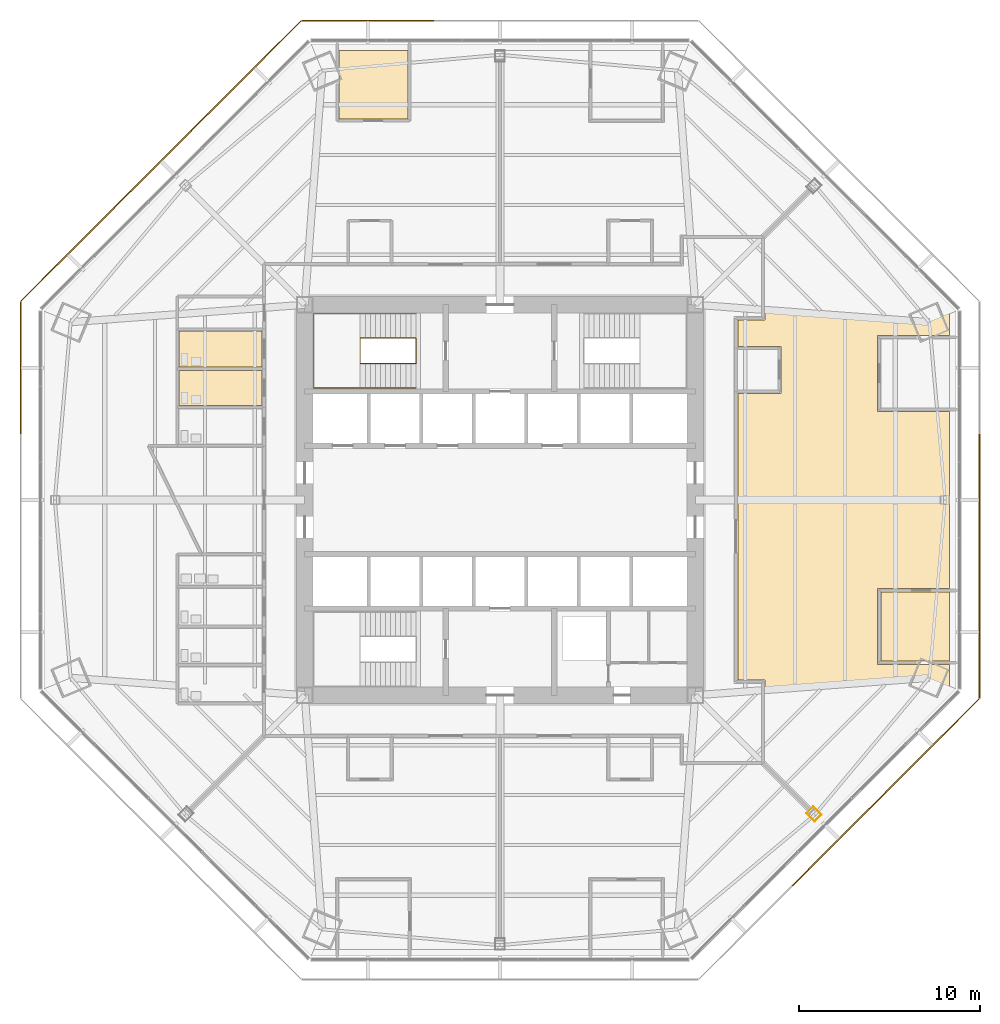
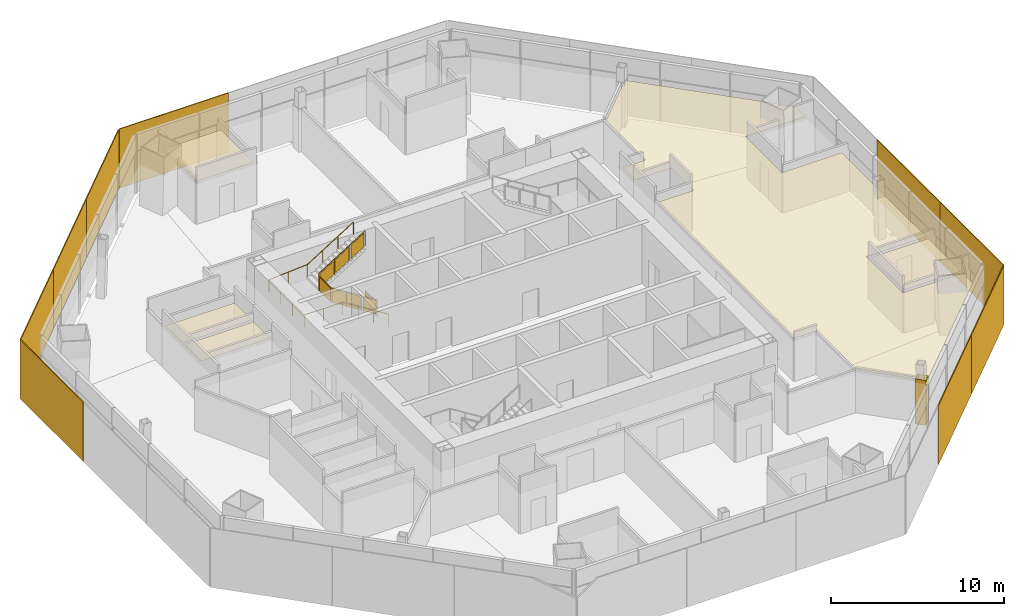
# One storey, part 15 of 17: 9 shading devices, 6 coverings, 2 railings.
"""IFC4 building model written with IfcOpenShell, lengths in metres."""

from ifc_helpers import new_model, si_unit, direction, frame, origin, origin_2d, place, context, subcontext, project, spatial, polyline, rectangle, circle, outline, extrude, source, transform, mapped, material, layer, layer_set, type_object, type_shapes, element, save


model = new_model("IFC4")

# Units and contexts
model_context = context("Model", 3, precision=1e-05, world=origin(), true_north=direction((0.0, 1.0)))
body_context = subcontext(model_context, "Body", "Model", "MODEL_VIEW")
ifc_project = project(units=[si_unit("LENGTHUNIT", "METRE"), si_unit("AREAUNIT", "SQUARE_METRE"), si_unit("VOLUMEUNIT", "CUBIC_METRE"), si_unit("PLANEANGLEUNIT", "RADIAN"), si_unit("MASSUNIT", "GRAM", prefix="KILO")], contexts=[model_context])

# Site, building, storey
site_placement = place(None, origin())
site = spatial("IfcSite", under=ifc_project, at=site_placement, CompositionType="ELEMENT")
building_placement = place(site_placement, origin())
building = spatial("IfcBuilding", under=site, at=building_placement, Name="Mashrafa Tower", CompositionType="ELEMENT")
storey_placement = place(building_placement, frame((0.0, 0.0, 91.800048828125)))
storey = spatial("IfcBuildingStorey", under=building, at=storey_placement, Name="L20", CompositionType="ELEMENT", Elevation=91.800048828125)

# Covering
ifc_material_1 = material(Name="Gypsum board")
ifc_layer_1 = layer(ifc_material_1, 0.014892578125)
ifc_layer_set_1 = layer_set([ifc_layer_1], Name="Column casing plasterboard 15")
covering_type_1 = type_object("IfcCoveringType", Name="Column casing plasterboard 15", PredefinedType="CLADDING", material=ifc_layer_set_1)
covering_1_placement = place(storey_placement, origin())
element("IfcCovering", 1, at=covering_1_placement, inside=storey, type_object=covering_type_1, Name="Column casing L20-005", PredefinedType="CLADDING", context=body_context, shape_type="SweptSolid", body=[
    extrude(outline(polyline([(16.948486328125, -17.3232421875), (17.3232421875, -16.948486328125), (17.7822265625, -17.407470703125), (17.407470703125, -17.7822265625), (16.948486328125, -17.3232421875)]), holes=[polyline([(17.760986328125, -17.407470703125), (17.3232421875, -16.9697265625), (16.9697265625, -17.3232421875), (17.407470703125, -17.760986328125), (17.760986328125, -17.407470703125)])]), origin(), (0.0, 0.0, 1.0), 3.17919921875),
])

# Railings
ifc_material_2 = material(Name="Steel guard with glass infill", Category="steel")
railing_type_1 = type_object("IfcRailingType", Name="Stair guard 1100", PredefinedType="GUARDRAIL", material=ifc_material_2)
railing_1_placement = place(storey_placement, frame((-4.64990234375, 8.949951171875, 0.0)))
element("IfcRailing", 2, at=railing_1_placement, inside=storey, type_object=railing_type_1, Name="Stair S1 guard L20", PredefinedType="GUARDRAIL", context=body_context, shape_type="SweptSolid", body=[
    extrude(circle(Radius=0.02392578125, at=origin_2d()), frame((0.0, 0.0, 1.076171875), z_axis=(0.0, -1.0, 0.0), x_axis=(1.0, 0.0, 0.0)), (0.0, 0.0, 1.0), 1.39990234375),
    extrude(circle(Radius=0.02392578125, at=origin_2d()), frame((0.0, -1.39990234375, 1.076171875), z_axis=(0.0, 0.0, 1.0), x_axis=(1.0, 0.0, 0.0)), (0.0, 0.0, 1.0), 0.175048828125),
    extrude(circle(Radius=0.02392578125, at=origin_2d()), frame((0.0, -1.39990234375, 1.2509765625), z_axis=(-0.848028513186, 0.0, 0.529950602248), x_axis=(0.0, -1.0, 0.0)), (0.0, 0.0, 1.0), 3.632080078125),
    extrude(circle(Radius=0.02392578125, at=origin_2d()), frame((-3.080078125, -1.39990234375, 3.17578125), z_axis=(0.0, 1.0, 0.0), x_axis=(-1.0, 0.0, 0.0)), (0.0, 0.0, 1.0), 1.39990234375),
    extrude(circle(Radius=0.02392578125, at=origin_2d()), frame((-3.080078125, 0.0, 3.17578125), z_axis=(0.0, 0.0, 1.0), x_axis=(1.0, 0.0, 0.0)), (0.0, 0.0, 1.0), 0.175048828125),
    extrude(circle(Radius=0.02392578125, at=origin_2d()), frame((-3.080078125, 0.0, 3.35107421875), z_axis=(0.847998304005, 0.0, 0.529998940003), x_axis=(0.0, 1.0, 0.0)), (0.0, 0.0, 1.0), 3.632080078125),
    extrude(circle(Radius=0.02099609375, at=origin_2d()), origin(), (0.0, 0.0, 1.0), 1.052001953125),
    extrude(circle(Radius=0.02099609375, at=origin_2d()), frame((0.0, -1.39990234375, 0.0)), (0.0, 0.0, 1.0), 1.052001953125),
    extrude(circle(Radius=0.02099609375, at=origin_2d()), frame((0.0, -1.39990234375, 0.175048828125)), (0.0, 0.0, 1.0), 1.052001953125),
    extrude(circle(Radius=0.02099609375, at=origin_2d()), frame((-1.026611328125, -1.39990234375, 0.816650390625)), (0.0, 0.0, 1.0), 1.052001953125),
    extrude(circle(Radius=0.02099609375, at=origin_2d()), frame((-2.053466796875, -1.39990234375, 1.458251953125)), (0.0, 0.0, 1.0), 1.052001953125),
    extrude(circle(Radius=0.02099609375, at=origin_2d()), frame((-3.080078125, -1.39990234375, 2.099853515625)), (0.0, 0.0, 1.0), 1.052001953125),
    extrude(circle(Radius=0.02099609375, at=origin_2d()), frame((-3.080078125, 0.0, 2.099853515625)), (0.0, 0.0, 1.0), 1.052001953125),
    extrude(circle(Radius=0.02099609375, at=origin_2d()), frame((-3.080078125, 0.0, 2.27490234375)), (0.0, 0.0, 1.0), 1.052001953125),
    extrude(circle(Radius=0.02099609375, at=origin_2d()), frame((-2.053466796875, 0.0, 2.91650390625)), (0.0, 0.0, 1.0), 1.052001953125),
    extrude(circle(Radius=0.02099609375, at=origin_2d()), frame((-1.026611328125, 0.0, 3.558349609375)), (0.0, 0.0, 1.0), 1.052001953125),
    extrude(circle(Radius=0.02099609375, at=origin_2d()), frame((0.0, 0.0, 4.199951171875)), (0.0, 0.0, 1.0), 1.052001953125),
    extrude(outline(polyline([(0.071044921875, 0.050048828125), (1.328857421875, 0.050048828125), (1.328857421875, 1.001953125), (0.071044921875, 1.001953125), (0.071044921875, 0.050048828125)])), frame((-0.006103515625, 0.0, 0.0), z_axis=(-1.0, 0.0, 0.0), x_axis=(0.0, -1.0, 0.0)), (0.0, 0.0, 1.0), 0.011962890625),
    extrude(outline(polyline([(0.071044921875, 0.094482421875), (0.955810546875, 0.647216796875), (0.955810546875, 1.59912109375), (0.071044921875, 1.04638671875), (0.071044921875, 0.094482421875)])), frame((0.0, -1.393798828125, 0.175048828125), z_axis=(0.0, 1.0, 0.0), x_axis=(-1.0, 0.0, 0.0)), (0.0, 0.0, 1.0), 0.011962890625),
    extrude(outline(polyline([(1.09765625, 0.736083984375), (1.982421875, 1.288818359375), (1.982421875, 2.24072265625), (1.09765625, 1.68798828125), (1.09765625, 0.736083984375)])), frame((0.0, -1.393798828125, 0.175048828125), z_axis=(0.0, 1.0, 0.0), x_axis=(-1.0, 0.0, 0.0)), (0.0, 0.0, 1.0), 0.011962890625),
    extrude(outline(polyline([(2.124267578125, 1.377685546875), (3.009033203125, 1.930419921875), (3.009033203125, 2.88232421875), (2.124267578125, 2.32958984375), (2.124267578125, 1.377685546875)])), frame((0.0, -1.393798828125, 0.175048828125), z_axis=(0.0, 1.0, 0.0), x_axis=(-1.0, 0.0, 0.0)), (0.0, 0.0, 1.0), 0.011962890625),
    extrude(outline(polyline([(0.071044921875, 0.050048828125), (1.328857421875, 0.050048828125), (1.328857421875, 1.001953125), (0.071044921875, 1.001953125), (0.071044921875, 0.050048828125)])), frame((-3.073974609375, -1.39990234375, 2.099853515625), z_axis=(1.0, 0.0, 0.0), x_axis=(0.0, 1.0, 0.0)), (0.0, 0.0, 1.0), 0.011962890625),
    extrude(outline(polyline([(0.071044921875, 0.094482421875), (0.955810546875, 0.647216796875), (0.955810546875, 1.599365234375), (0.071044921875, 1.04638671875), (0.071044921875, 0.094482421875)])), frame((-3.080078125, -0.006103515625, 2.27490234375), z_axis=(0.0, -1.0, 0.0), x_axis=(1.0, 0.0, 0.0)), (0.0, 0.0, 1.0), 0.011962890625),
    extrude(outline(polyline([(1.09765625, 0.736083984375), (1.982421875, 1.2890625), (1.982421875, 2.240966796875), (1.09765625, 1.68798828125), (1.09765625, 0.736083984375)])), frame((-3.080078125, -0.006103515625, 2.27490234375), z_axis=(0.0, -1.0, 0.0), x_axis=(1.0, 0.0, 0.0)), (0.0, 0.0, 1.0), 0.011962890625),
    extrude(outline(polyline([(2.124267578125, 1.377685546875), (3.009033203125, 1.9306640625), (3.009033203125, 2.882568359375), (2.124267578125, 2.329833984375), (2.124267578125, 1.377685546875)])), frame((-3.080078125, -0.006103515625, 2.27490234375), z_axis=(0.0, -1.0, 0.0), x_axis=(1.0, 0.0, 0.0)), (0.0, 0.0, 1.0), 0.011962890625),
])
ifc_material_3 = material(Name="Steel", Category="steel")
railing_type_2 = type_object("IfcRailingType", Name="Stair handrail 900", PredefinedType="HANDRAIL", material=ifc_material_3)
railing_2_placement = place(storey_placement, frame((-4.64990234375, 6.199951171875, 0.175048828125)))
element("IfcRailing", 3, at=railing_2_placement, inside=storey, type_object=railing_type_2, Name="Stair S1 handrail L20", PredefinedType="HANDRAIL", context=body_context, shape_type="SweptSolid", body=[
    extrude(circle(Radius=0.02392578125, at=origin_2d()), frame((0.0, 0.0, 0.8759765625), z_axis=(-0.848028513186, 0.0, 0.529950602248), x_axis=(0.0, -1.0, 0.0)), (0.0, 0.0, 1.0), 3.632080078125),
    extrude(circle(Radius=0.02392578125, at=origin_2d()), frame((-3.080078125, 0.0, 2.80078125), z_axis=(-1.0, 0.0, 0.0), x_axis=(0.0, -1.0, 0.0)), (0.0, 0.0, 1.0), 2.570068359375),
    extrude(circle(Radius=0.02392578125, at=origin_2d()), frame((-5.650146484375, 0.0, 2.80078125), z_axis=(0.0, 1.0, 0.0), x_axis=(-1.0, 0.0, 0.0)), (0.0, 0.0, 1.0), 4.10009765625),
    extrude(circle(Radius=0.02392578125, at=origin_2d()), frame((-5.650146484375, 4.10009765625, 2.80078125), z_axis=(0.997688514158, 0.0, 0.067953136188), x_axis=(0.0, 1.0, 0.0)), (0.0, 0.0, 1.0), 2.575927734375),
    extrude(circle(Radius=0.02392578125, at=origin_2d()), frame((-3.080078125, 4.10009765625, 2.9755859375), z_axis=(0.847998304005, 0.0, 0.529998940003), x_axis=(0.0, 1.0, 0.0)), (0.0, 0.0, 1.0), 3.632080078125),
    extrude(circle(Radius=0.02099609375, at=origin_2d()), origin(), (0.0, 0.0, 1.0), 0.851806640625),
    extrude(circle(Radius=0.02099609375, at=origin_2d()), frame((-1.026611328125, 0.0, 0.6416015625)), (0.0, 0.0, 1.0), 0.851806640625),
    extrude(circle(Radius=0.02099609375, at=origin_2d()), frame((-2.053466796875, 0.0, 1.283203125)), (0.0, 0.0, 1.0), 0.851806640625),
    extrude(circle(Radius=0.02099609375, at=origin_2d()), frame((-3.080078125, 0.0, 1.9248046875)), (0.0, 0.0, 1.0), 0.851806640625),
    extrude(circle(Radius=0.02099609375, at=origin_2d()), frame((-4.365234375, 0.0, 1.9248046875)), (0.0, 0.0, 1.0), 0.851806640625),
    extrude(circle(Radius=0.02099609375, at=origin_2d()), frame((-5.650146484375, 0.0, 1.9248046875)), (0.0, 0.0, 1.0), 0.851806640625),
    extrude(circle(Radius=0.02099609375, at=origin_2d()), frame((-5.650146484375, 1.36669921875, 1.9248046875)), (0.0, 0.0, 1.0), 0.851806640625),
    extrude(circle(Radius=0.02099609375, at=origin_2d()), frame((-5.650146484375, 2.7333984375, 1.9248046875)), (0.0, 0.0, 1.0), 0.851806640625),
    extrude(circle(Radius=0.02099609375, at=origin_2d()), frame((-5.650146484375, 4.10009765625, 1.9248046875)), (0.0, 0.0, 1.0), 0.851806640625),
    extrude(circle(Radius=0.02099609375, at=origin_2d()), frame((-4.365234375, 4.10009765625, 2.01220703125)), (0.0, 0.0, 1.0), 0.851806640625),
    extrude(circle(Radius=0.02099609375, at=origin_2d()), frame((-3.080078125, 4.10009765625, 2.099853515625)), (0.0, 0.0, 1.0), 0.851806640625),
    extrude(circle(Radius=0.02099609375, at=origin_2d()), frame((-2.053466796875, 4.10009765625, 2.741455078125)), (0.0, 0.0, 1.0), 0.851806640625),
    extrude(circle(Radius=0.02099609375, at=origin_2d()), frame((-1.026611328125, 4.10009765625, 3.38330078125)), (0.0, 0.0, 1.0), 0.851806640625),
    extrude(circle(Radius=0.02099609375, at=origin_2d()), frame((0.0, 4.10009765625, 4.02490234375)), (0.0, 0.0, 1.0), 0.851806640625),
])

# Coverings
ifc_material_4 = material(Name="Mineral fibre tile on suspension grid")
ifc_layer_2 = layer(ifc_material_4, 0.014892578125)
ifc_layer_set_2 = layer_set([ifc_layer_2], Name="Suspended ceiling mineral tile 15")
covering_type_2 = type_object("IfcCoveringType", Name="Suspended ceiling mineral tile 15", PredefinedType="CEILING", material=ifc_layer_set_2)
covering_2_placement = place(storey_placement, frame((0.0, 0.0, 2.89990234375)))
element("IfcCovering", 4, at=covering_2_placement, inside=storey, type_object=covering_type_2, Name="Ceiling WC Male L20 N", PredefinedType="CEILING", context=body_context, shape_type="SweptSolid", body=[
    extrude(outline(polyline([(-17.75, 5.22509765625), (-17.75, 7.14990234375), (-13.14990234375, 7.14990234375), (-13.14990234375, 5.22509765625), (-17.75, 5.22509765625)])), origin(), (0.0, 0.0, 1.0), 0.01513671875),
])
covering_3_placement = place(storey_placement, frame((0.0, 0.0, 2.89990234375)))
element("IfcCovering", 5, at=covering_3_placement, inside=storey, type_object=covering_type_2, Name="Ceiling Accessible WC L20 N", PredefinedType="CEILING", context=body_context, shape_type="SweptSolid", body=[
    extrude(outline(polyline([(-17.75, 7.35009765625), (-17.75, 9.35009765625), (-13.14990234375, 9.35009765625), (-13.14990234375, 7.35009765625), (-17.75, 7.35009765625)])), origin(), (0.0, 0.0, 1.0), 0.01513671875),
])
covering_4_placement = place(storey_placement, frame((0.0, 0.0, 2.89990234375)))
element("IfcCovering", 6, at=covering_4_placement, inside=storey, type_object=covering_type_2, Name="Ceiling Manager's Office 20-NW", PredefinedType="CEILING", context=body_context, shape_type="SweptSolid", body=[
    extrude(outline(polyline([(-8.89990234375, 24.867919921875), (-5.10009765625, 24.867919921875), (-5.10009765625, 21.06787109375), (-8.89990234375, 21.06787109375), (-8.89990234375, 24.867919921875)])), origin(), (0.0, 0.0, 1.0), 0.01513671875),
])
covering_5_placement = place(storey_placement, frame((0.0, 0.0, 2.89990234375)))
element("IfcCovering", 7, at=covering_5_placement, inside=storey, type_object=covering_type_2, Name="Ceiling Manager's Office 20-E", PredefinedType="CEILING", context=body_context, shape_type="SweptSolid", body=[
    extrude(outline(polyline([(21.06787109375, -5.10009765625), (24.867919921875, -5.10009765625), (24.867919921875, -8.89990234375), (21.06787109375, -8.89990234375), (21.06787109375, -5.10009765625)])), origin(), (0.0, 0.0, 1.0), 0.01513671875),
])
covering_6_placement = place(storey_placement, frame((0.0, 0.0, 2.89990234375)))
element("IfcCovering", 8, at=covering_6_placement, inside=storey, type_object=covering_type_2, Name="Ceiling Office Suite 20-E", PredefinedType="CEILING", context=body_context, shape_type="SweptSolid", body=[
    extrude(outline(polyline([(14.64990234375, 14.508544921875), (17.65478515625, 17.513427734375), (24.867919921875, 10.300537109375), (24.867919921875, 9.10009765625), (20.867919921875, 9.10009765625), (20.867919921875, 4.89990234375), (24.867919921875, 4.89990234375), (24.867919921875, -4.89990234375), (20.867919921875, -4.89990234375), (20.867919921875, -9.10009765625), (24.867919921875, -9.10009765625), (24.867919921875, -10.300537109375), (17.65478515625, -17.513427734375), (14.64990234375, -14.508544921875), (14.64990234375, -9.949951171875), (13.14990234375, -9.949951171875), (13.14990234375, 5.89990234375), (15.550048828125, 5.89990234375), (15.550048828125, 8.5), (13.14990234375, 8.5), (13.14990234375, 9.949951171875), (14.64990234375, 9.949951171875), (14.64990234375, 14.508544921875)])), origin(), (0.0, 0.0, 1.0), 0.01513671875),
])

# Shading devices
ifc_material_5 = material(Name="Perforated aluminium plate, eight-point star pattern", Category="aluminium")
ifc_layer_3 = layer(ifc_material_5, 0.06005859375)
ifc_layer_set_3 = layer_set([ifc_layer_3], Name="Mashrabiya screen panel office zone 1, 45 percent open")
shading_device_type = type_object("IfcShadingDeviceType", Name="Mashrabiya screen panel office zone 1, 45 percent open", PredefinedType="SHUTTER", material=ifc_layer_set_3)
shared_shape = source(origin(), body_context, "Body", "SweptSolid", [
    extrude(rectangle(XDim=7.287841796875, YDim=0.06005859375, at=origin_2d()), origin(), (0.0, 0.0, 1.0), 4.179931640625),
])
type_shapes(shading_device_type, [shared_shape])
for number, where, z_axis, x_axis, name in (
    (9, (26.517822265625, -7.307861328125, -0.14990234375), (0.0, 0.0, 1.0), (0.0, 1.0, 0.0), "Mashrabiya screen L20 east 1"),
    (10, (26.517822265625, 0.0, -0.14990234375), (0.0, 0.0, 1.0), (0.0, 1.0, 0.0), "Mashrabiya screen L20 east 2"),
    (11, (-7.307861328125, 26.517822265625, -0.14990234375), (0.0, 0.0, 1.0), (-1.0, 0.0, 0.0), "Mashrabiya screen L20 north 3"),
    (12, (-13.58349609375, 23.918212890625, -0.14990234375), (0.0, 0.0, 1.0), (-0.707106781187, -0.707106781187, 0.0), "Mashrabiya screen L20 north-west 1"),
    (13, (-18.7509765625, 18.7509765625, -0.14990234375), (0.0, 0.0, 1.0), (-0.707106781187, -0.707106781187, 0.0), "Mashrabiya screen L20 north-west 2"),
    (14, (-23.918212890625, 13.58349609375, -0.14990234375), (0.0, 0.0, 1.0), (-0.707106781187, -0.707106781187, 0.0), "Mashrabiya screen L20 north-west 3"),
    (15, (-26.517822265625, 7.307861328125, -0.14990234375), (0.0, 0.0, 1.0), (0.0, -1.0, 0.0), "Mashrabiya screen L20 west 1"),
    (16, (18.7509765625, -18.7509765625, -0.14990234375), (0.0, 0.0, 1.0), (0.707106781187, 0.707106781187, 0.0), "Mashrabiya screen L20 south-east 2"),
    (17, (23.918212890625, -13.58349609375, -0.14990234375), (0.0, 0.0, 1.0), (0.707106781187, 0.707106781187, 0.0), "Mashrabiya screen L20 south-east 3"),
):
    element("IfcShadingDevice", number, at=place(storey_placement, frame(where, z_axis=z_axis, x_axis=x_axis)), inside=storey, type_object=shading_device_type, Name=name, PredefinedType="SHUTTER", context=body_context, shape_type="MappedRepresentation", body=[
        mapped(shared_shape, transform((0.0, 0.0, 0.0))),
    ])

save(model, "model.ifc")
